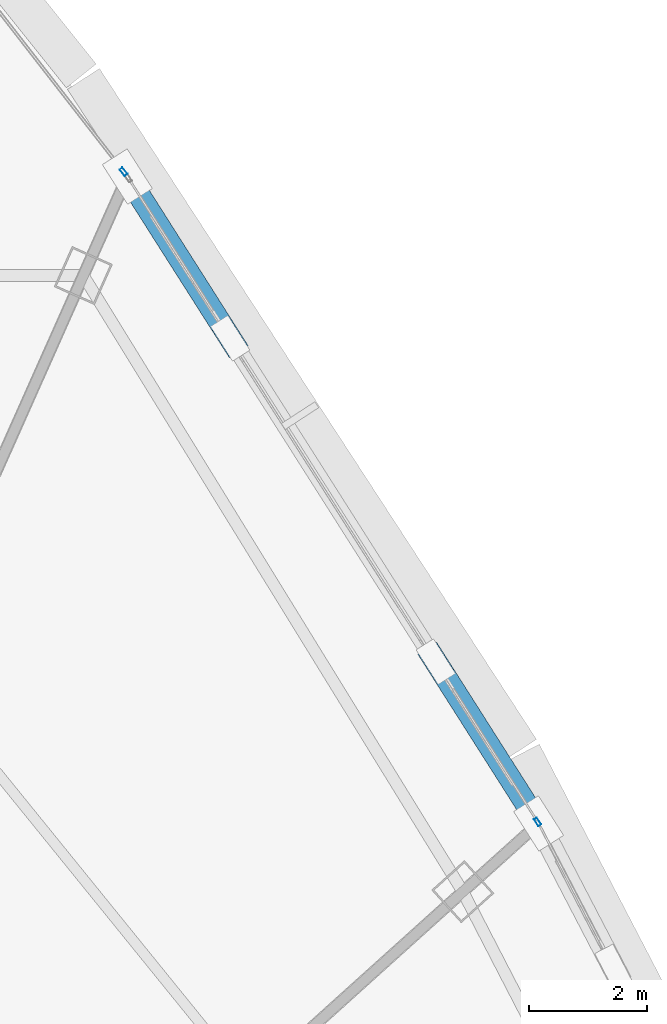
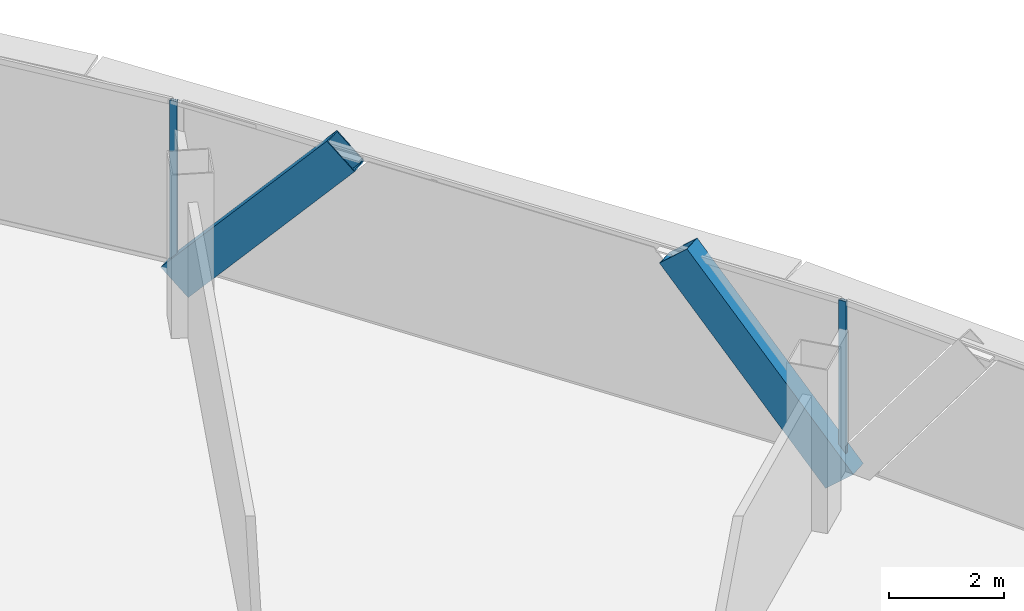
# One storey, part 25 of 35: 4 members, 2 elements without a shape of their own.
"""IFC4 building model written with IfcOpenShell, lengths in metres."""

from ifc_helpers import new_model, si_unit, direction, frame, origin, origin_2d, place, context, subcontext, project, spatial, hollow_rectangle, extrude, source, transform, mapped, material, layer, layer_set, material_profile, profile_set, type_object, element, aggregate, save


model = new_model("IFC4")

# Units and contexts
model_context = context("Model", 3, precision=1e-05, world=origin(), true_north=direction((0.0, 1.0)))
body_context = subcontext(model_context, "Body", "Model", "MODEL_VIEW")
ifc_project = project(units=[si_unit("LENGTHUNIT", "METRE"), si_unit("AREAUNIT", "SQUARE_METRE"), si_unit("VOLUMEUNIT", "CUBIC_METRE"), si_unit("PLANEANGLEUNIT", "RADIAN"), si_unit("MASSUNIT", "GRAM", prefix="KILO"), si_unit("THERMODYNAMICTEMPERATUREUNIT", "KELVIN"), si_unit("POWERUNIT", "WATT")], contexts=[model_context])

# Site, building, storey
site_placement = place(None, origin())
site = spatial("IfcSite", under=ifc_project, at=site_placement, CompositionType="ELEMENT")
building_placement = place(site_placement, origin())
building = spatial("IfcBuilding", under=site, at=building_placement, Name="Yunzhuo Pagoda Commons", CompositionType="ELEMENT")
storey_placement = place(building_placement, frame((0.0, 0.0, 303.669921875)))
storey = spatial("IfcBuildingStorey", under=building, at=storey_placement, Name="L76", CompositionType="ELEMENT", Elevation=303.669921875)

# Members
ifc_material_1 = material(Name="Structural steel Q355B", Category="steel")
ifc_material_profile_1 = material_profile(ifc_material_1, hollow_rectangle(XDim=0.3798828125, YDim=0.719970703125, WallThickness=0.02001953125, at=origin_2d()), Name="Structural steel Q355B")
ifc_profile_set_1 = profile_set([ifc_material_profile_1], Name="Structural steel Q355B")
member_type_1 = type_object("IfcMemberType", Name="M-DL3 Brace BOX 720x380x20", PredefinedType="BRACE", material=ifc_profile_set_1)
shared_shape_1 = source(origin(), body_context, "Body", "SweptSolid", [
    extrude(hollow_rectangle(XDim=0.3798828125, YDim=0.719970703125, WallThickness=0.02001953125, at=origin_2d()), origin(), (0.0, 0.0, 1.0), 4.95458984375),
])
for number, where, z_axis, x_axis, name in (
    (1, (67.86328125, 51.5849609375, -0.260009765625), (-0.353151166465, 0.555472736091, 0.752817569591), (-0.843889512446, -0.53651699953, 0.0), "L76 facade diamond brace F2.3L"),
    (2, (60.864501953125, 62.593994140625, -0.260009765625), (0.353151166465, -0.555472736091, 0.752817569591), (0.843889512446, 0.53651699953, 0.0), "L76 facade diamond brace F2.3R"),
):
    element("IfcMember", number, at=place(storey_placement, frame(where, z_axis=z_axis, x_axis=x_axis)), inside=storey, type_object=member_type_1, Name=name, PredefinedType="BRACE", context=body_context, shape_type="MappedRepresentation", body=[
        mapped(shared_shape_1, transform((0.0, 0.0, 0.0), scale=1.0)),
    ])

# Curtain wall, member
ifc_material_2 = material(Name="Anodized aluminium 6063-T6", Category="aluminium")
ifc_layer = layer(ifc_material_2, 0.139892578125)
ifc_layer_set = layer_set([ifc_layer], Name="Anodized aluminium 6063-T6")
curtain_wall_type = type_object("IfcCurtainWallType", Name="CW-HI High-Zone Ribbon Curtain Wall", PredefinedType="NOTDEFINED", material=ifc_layer_set)
curtain_wall_1_placement = place(storey_placement, origin())
curtain_wall_1 = element("IfcCurtainWall", 3, at=curtain_wall_1_placement, inside=storey, type_object=curtain_wall_type, Name="L76 curtain wall CW-L76-F2B4", PredefinedType="NOTDEFINED")
ifc_material_profile_2 = material_profile(ifc_material_2, hollow_rectangle(XDim=0.06005859375, YDim=0.139892578125, WallThickness=0.00341796875, at=origin_2d()), Name="Anodized aluminium 6063-T6")
ifc_profile_set_2 = profile_set([ifc_material_profile_2], Name="Anodized aluminium 6063-T6")
member_type_2 = type_object("IfcMemberType", Name="CW-HI-M Mullion RHS 140x60x3.5", PredefinedType="MULLION", material=ifc_profile_set_2)
shared_shape_2 = source(origin(), body_context, "Body", "SweptSolid", [
    extrude(hollow_rectangle(XDim=0.06005859375, YDim=0.139892578125, WallThickness=0.00341796875, at=origin_2d()), origin(), (0.0, 0.0, 1.0), 3.469970703125),
])
member_1_placement = place(storey_placement, frame((67.84716796875, 51.610107421875, 0.0), z_axis=(0.0, 0.0, 1.0), x_axis=(-0.843909804597, -0.536485080599, 0.0)))
member_1 = element("IfcMember", 4, at=member_1_placement, type_object=member_type_2, Name="CW mullion 1", PredefinedType="MULLION", context=body_context, shape_type="MappedRepresentation", body=[
    mapped(shared_shape_2, transform((0.0, 0.0, 0.0), scale=1.0)),
])
aggregate(curtain_wall_1, [member_1])

curtain_wall_2_placement = place(storey_placement, origin())
curtain_wall_2 = element("IfcCurtainWall", 5, at=curtain_wall_2_placement, inside=storey, type_object=curtain_wall_type, Name="L76 curtain wall CW-L76-F2B5", PredefinedType="NOTDEFINED")
member_2_placement = place(storey_placement, frame((60.800048828125, 62.677001953125, 0.0), z_axis=(0.0, 0.0, 1.0), x_axis=(-0.78943032712, -0.613840173517, 0.0)))
member_2 = element("IfcMember", 6, at=member_2_placement, type_object=member_type_2, Name="CW mullion 1", PredefinedType="MULLION", context=body_context, shape_type="MappedRepresentation", body=[
    mapped(shared_shape_2, transform((0.0, 0.0, 0.0), scale=1.0)),
])
aggregate(curtain_wall_2, [member_2])

save(model, "model.ifc")
